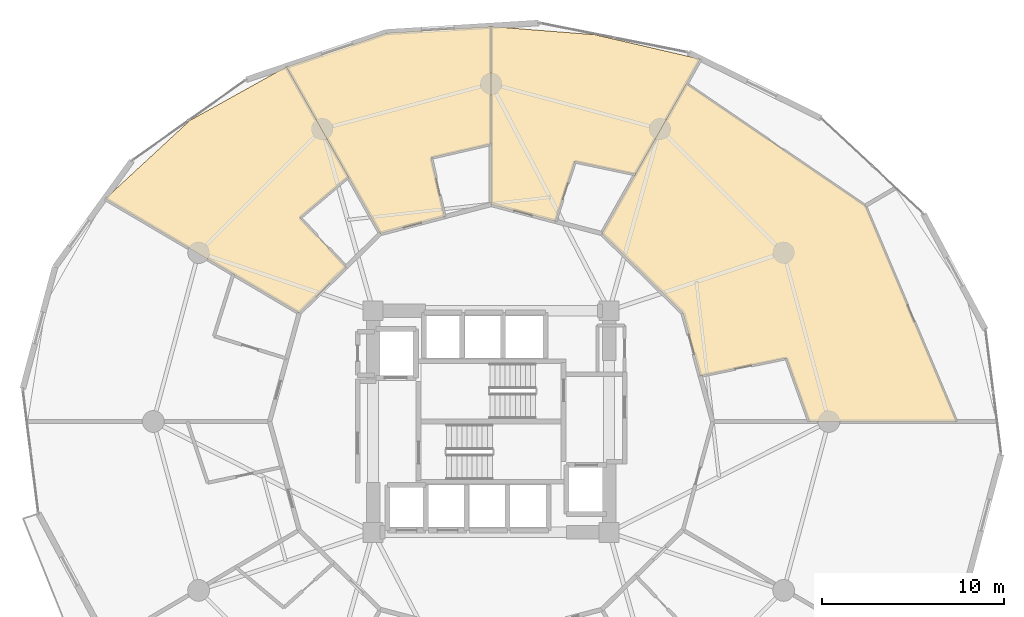
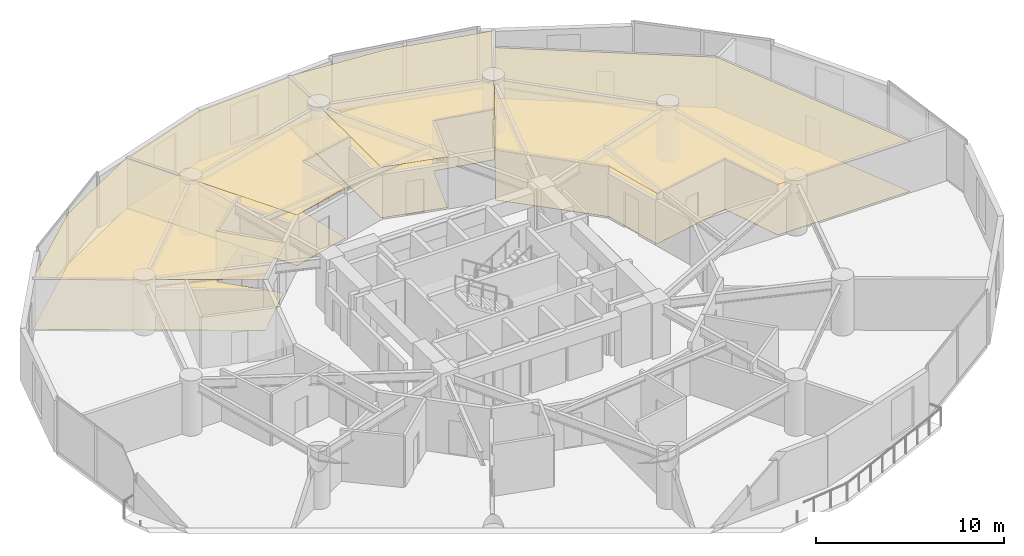
# One storey, part 26 of 26: 8 coverings.
"""IFC4 building model written with IfcOpenShell, lengths in metres."""

from ifc_helpers import new_model, si_unit, direction, frame, origin, place, context, subcontext, project, spatial, polyline, outline, extrude, material, layer, layer_set, type_object, element, save


model = new_model("IFC4")

# Units and contexts
model_context = context("Model", 3, precision=1e-05, world=origin(), true_north=direction((0.0, 1.0)))
body_context = subcontext(model_context, "Body", "Model", "MODEL_VIEW")
ifc_project = project(units=[si_unit("LENGTHUNIT", "METRE"), si_unit("AREAUNIT", "SQUARE_METRE"), si_unit("VOLUMEUNIT", "CUBIC_METRE"), si_unit("PLANEANGLEUNIT", "RADIAN"), si_unit("MASSUNIT", "GRAM", prefix="KILO")], contexts=[model_context])

# Site, building, storey
site_placement = place(None, origin())
site = spatial("IfcSite", under=ifc_project, at=site_placement, CompositionType="ELEMENT")
building_placement = place(site_placement, origin())
building = spatial("IfcBuilding", under=site, at=building_placement, Name="Solvirekh Grand Hotel", CompositionType="ELEMENT")
storey_placement = place(building_placement, frame((0.0, 0.0, 32.0)))
storey = spatial("IfcBuildingStorey", under=building, at=storey_placement, Name="L06", CompositionType="ELEMENT", Elevation=32.0)

# Coverings
ifc_material_1 = material(Name="Acoustic Mineral Ceiling Tile")
ifc_layer_1 = layer(ifc_material_1, 0.02490234375)
ifc_layer_set_1 = layer_set([ifc_layer_1], Name="Acoustic Mineral Ceiling Tile")
covering_type_1 = type_object("IfcCoveringType", Name="Cov_Ceiling_Acoustic", PredefinedType="CEILING", material=ifc_layer_set_1)
covering_1_placement = place(storey_placement, frame((0.0, 0.0, 3.2900390625)))
element("IfcCovering", 1, at=covering_1_placement, inside=storey, type_object=covering_type_1, Name="L06 Executive Suite 0801 Living Room acoustic ceiling", PredefinedType="CEILING", context=body_context, shape_type="SweptSolid", body=[
    extrude(outline(polyline([(16.262939453125, 3.489990234375), (17.510986328125, 0.0), (25.635009765625, 0.0), (20.613037109375, 11.883056640625), (10.760986328125, 18.60888671875), (6.10009765625, 10.34912109375), (10.56591796875, 5.97509765625), (11.513916015625, 2.509033203125), (16.262939453125, 3.489990234375)])), origin(), (0.0, 0.0, 1.0), 0.01806640625),
])
covering_2_placement = place(storey_placement, frame((0.0, 0.0, 3.2900390625)))
element("IfcCovering", 2, at=covering_2_placement, inside=storey, type_object=covering_type_1, Name="L06 Deluxe Guestroom 0802 acoustic ceiling", PredefinedType="CEILING", context=body_context, shape_type="SweptSolid", body=[
    extrude(outline(polyline([(4.60693359375, 14.31494140625), (7.943115234375, 13.614990234375), (11.52001953125, 19.9541015625), (5.70703125, 21.300048828125), (0.0, 21.75), (0.0, 11.949951171875), (3.5380859375, 11.02099609375), (4.60693359375, 14.31494140625)])), origin(), (0.0, 0.0, 1.0), 0.01806640625),
])
covering_3_placement = place(storey_placement, frame((0.0, 0.0, 3.2900390625)))
element("IfcCovering", 3, at=covering_3_placement, inside=storey, type_object=covering_type_1, Name="L06 Deluxe Guestroom 0803 acoustic ceiling", PredefinedType="CEILING", context=body_context, shape_type="SweptSolid", body=[
    extrude(outline(polyline([(-3.301025390625, 14.52197265625), (0.0, 15.281982421875), (0.0, 21.75), (-5.73388671875, 21.39794921875), (-11.27587890625, 19.530029296875), (-6.10009765625, 10.34912109375), (-2.56201171875, 11.278076171875), (-3.301025390625, 14.52197265625)])), origin(), (0.0, 0.0, 1.0), 0.01806640625),
])
covering_4_placement = place(storey_placement, frame((0.0, 0.0, 3.2900390625)))
element("IfcCovering", 4, at=covering_4_placement, inside=storey, type_object=covering_type_1, Name="L06 Deluxe Guestroom 0804 acoustic ceiling", PredefinedType="CEILING", context=body_context, shape_type="SweptSolid", body=[
    extrude(outline(polyline([(-10.52197265625, 11.220947265625), (-7.860107421875, 13.470947265625), (-11.27587890625, 19.530029296875), (-16.58203125, 16.58203125), (-21.24609375, 12.26611328125), (-10.56591796875, 5.97509765625), (-7.97607421875, 8.511962890625), (-10.52197265625, 11.220947265625)])), origin(), (0.0, 0.0, 1.0), 0.01806640625),
])
ifc_material_2 = material(Name="Porcelain Stoneware Flooring", Category="masonry")
ifc_layer_2 = layer(ifc_material_2, 0.030029296875)
ifc_layer_set_2 = layer_set([ifc_layer_2], Name="Porcelain Stoneware Flooring")
covering_type_2 = type_object("IfcCoveringType", Name="Cov_Floor_Stone", PredefinedType="FLOORING", material=ifc_layer_set_2)
covering_5_placement = place(storey_placement, origin())
element("IfcCovering", 5, at=covering_5_placement, inside=storey, type_object=covering_type_2, Name="L06 Executive Suite 0801 Living Room polished granite flooring", PredefinedType="FLOORING", context=body_context, shape_type="SweptSolid", body=[
    extrude(outline(polyline([(16.262939453125, 3.489990234375), (17.510986328125, 0.0), (25.635009765625, 0.0), (20.613037109375, 11.883056640625), (10.760986328125, 18.60888671875), (6.10009765625, 10.34912109375), (10.56591796875, 5.97509765625), (11.513916015625, 2.509033203125), (16.262939453125, 3.489990234375)])), origin(), (0.0, 0.0, 1.0), 0.02001953125),
])
covering_6_placement = place(storey_placement, origin())
element("IfcCovering", 6, at=covering_6_placement, inside=storey, type_object=covering_type_2, Name="L06 Deluxe Guestroom 0802 polished granite flooring", PredefinedType="FLOORING", context=body_context, shape_type="SweptSolid", body=[
    extrude(outline(polyline([(4.60693359375, 14.31494140625), (7.943115234375, 13.614990234375), (11.52001953125, 19.9541015625), (5.70703125, 21.300048828125), (0.0, 21.75), (0.0, 11.949951171875), (3.5380859375, 11.02099609375), (4.60693359375, 14.31494140625)])), origin(), (0.0, 0.0, 1.0), 0.02001953125),
])
covering_7_placement = place(storey_placement, origin())
element("IfcCovering", 7, at=covering_7_placement, inside=storey, type_object=covering_type_2, Name="L06 Deluxe Guestroom 0803 polished granite flooring", PredefinedType="FLOORING", context=body_context, shape_type="SweptSolid", body=[
    extrude(outline(polyline([(-3.301025390625, 14.52197265625), (0.0, 15.281982421875), (0.0, 21.75), (-5.73388671875, 21.39794921875), (-11.27587890625, 19.530029296875), (-6.10009765625, 10.34912109375), (-2.56201171875, 11.278076171875), (-3.301025390625, 14.52197265625)])), origin(), (0.0, 0.0, 1.0), 0.02001953125),
])
covering_8_placement = place(storey_placement, origin())
element("IfcCovering", 8, at=covering_8_placement, inside=storey, type_object=covering_type_2, Name="L06 Deluxe Guestroom 0804 polished granite flooring", PredefinedType="FLOORING", context=body_context, shape_type="SweptSolid", body=[
    extrude(outline(polyline([(-10.52197265625, 11.220947265625), (-7.860107421875, 13.470947265625), (-11.27587890625, 19.530029296875), (-16.58203125, 16.58203125), (-21.24609375, 12.26611328125), (-10.56591796875, 5.97509765625), (-7.97607421875, 8.511962890625), (-10.52197265625, 11.220947265625)])), origin(), (0.0, 0.0, 1.0), 0.02001953125),
])

save(model, "model.ifc")
